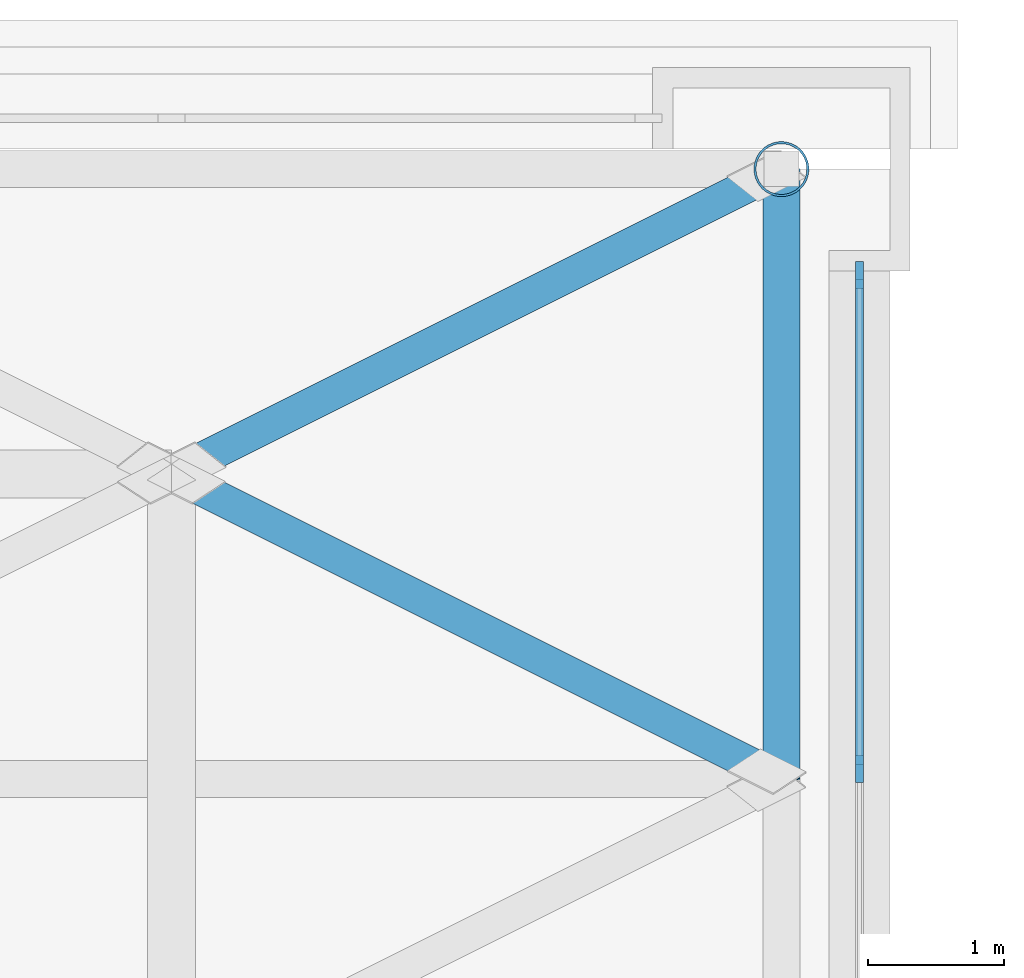
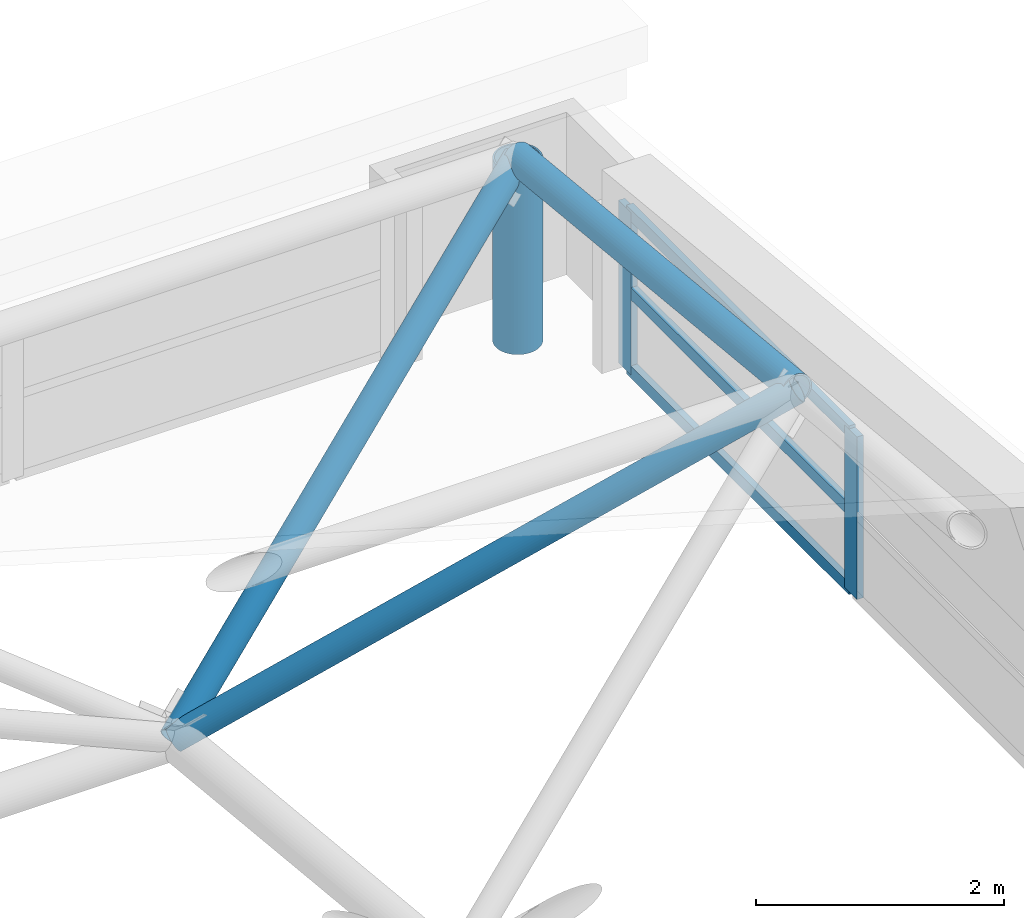
# One storey, part 19 of 53: 9 members, 1 element without a shape of its own.
"""IFC4 building model written with IfcOpenShell, lengths in metres."""

from ifc_helpers import new_model, si_unit, direction, frame, origin, origin_2d, place, context, subcontext, project, spatial, rectangle, hollow_circle, extrude, material, material_profile, profile_set, type_object, element, aggregate, save


model = new_model("IFC4")

# Units and contexts
model_context = context("Model", 3, precision=1e-05, world=origin(), true_north=direction((0.0, 1.0)))
body_context = subcontext(model_context, "Body", "Model", "MODEL_VIEW")
ifc_project = project(units=[si_unit("LENGTHUNIT", "METRE"), si_unit("AREAUNIT", "SQUARE_METRE"), si_unit("VOLUMEUNIT", "CUBIC_METRE"), si_unit("PLANEANGLEUNIT", "RADIAN"), si_unit("MASSUNIT", "GRAM", prefix="KILO")], contexts=[model_context])

# Site, building, storey
site_placement = place(None, origin())
site = spatial("IfcSite", under=ifc_project, at=site_placement, CompositionType="ELEMENT")
building_placement = place(site_placement, origin())
building = spatial("IfcBuilding", under=site, at=building_placement, Name="Aravalli Gate Trade Fair Centre", CompositionType="ELEMENT")
storey_placement = place(building_placement, frame((0.0, 0.0, 25.199951171875)))
storey = spatial("IfcBuildingStorey", under=building, at=storey_placement, Name="ROOF LEVEL 2", CompositionType="ELEMENT", Elevation=25.199951171875)

# Members
ifc_material_1 = material(Name="Steel E350", Category="steel")
ifc_material_profile_1 = material_profile(ifc_material_1, hollow_circle(Radius=0.122314453125, WallThickness=0.008056640625, at=origin_2d()), Name="CHS 244.5x8")
ifc_profile_set_1 = profile_set([ifc_material_profile_1], Name="Steel E350")
member_type_1 = type_object("IfcMemberType", Name="CHS 244.5x8", PredefinedType="BRACE", material=ifc_profile_set_1)
member_1_placement = place(storey_placement, frame((105.0, 104.5, 2.25), z_axis=(-0.753016221047, 0.376508110523, -0.539637112837), x_axis=(-0.4472135955, -0.894427191, 0.0)))
element("IfcMember", 1, at=member_1_placement, inside=storey, type_object=member_type_1, Name="Space frame web diagonal D6B", PredefinedType="BRACE", context=body_context, shape_type="SweptSolid", body=[
    extrude(hollow_circle(Radius=0.122314453125, WallThickness=0.008056640625, at=origin_2d()), origin(), (0.0, 0.0, 1.0), 5.97607421875),
])
member_2_placement = place(storey_placement, frame((105.0, 109.0, 1.800048828125), z_axis=(-0.783200147531, -0.391600073766, -0.48295642778), x_axis=(0.4472135955, -0.894427191, 0.0)))
element("IfcMember", 2, at=member_2_placement, inside=storey, type_object=member_type_1, Name="Space frame web diagonal D6D", PredefinedType="BRACE", context=body_context, shape_type="SweptSolid", body=[
    extrude(hollow_circle(Radius=0.122314453125, WallThickness=0.008056640625, at=origin_2d()), origin(), (0.0, 0.0, 1.0), 5.74560546875),
])
ifc_material_profile_2 = material_profile(ifc_material_1, hollow_circle(Radius=0.136474609375, WallThickness=0.01611328125, at=origin_2d()), Name="CHS 273.1x16")
ifc_profile_set_2 = profile_set([ifc_material_profile_2], Name="Steel E350")
member_type_2 = type_object("IfcMemberType", Name="CHS 273.1x16", PredefinedType="CHORD", material=ifc_profile_set_2)
member_3_placement = place(storey_placement, frame((105.0, 104.5, 2.25), z_axis=(0.0, 0.995038259148, -0.099493029059), x_axis=(-1.0, 0.0, 0.0)))
element("IfcMember", 3, at=member_3_placement, inside=storey, type_object=member_type_2, Name="Space frame edge chord at the end lines YE6", PredefinedType="CHORD", context=body_context, shape_type="SweptSolid", body=[
    extrude(hollow_circle(Radius=0.136474609375, WallThickness=0.01611328125, at=origin_2d()), origin(), (0.0, 0.0, 1.0), 4.5224609375),
])
ifc_material_profile_3 = material_profile(ifc_material_1, hollow_circle(Radius=0.203125, WallThickness=0.01611328125, at=origin_2d()), Name="CHS 406.4x16")
ifc_profile_set_3 = profile_set([ifc_material_profile_3], Name="Steel E350")
member_type_3 = type_object("IfcMemberType", Name="CHS 406.4x16", PredefinedType="POST", material=ifc_profile_set_3)
member_4_placement = place(storey_placement, frame((105.0, 109.0, 0.0), z_axis=(0.0, 0.0, 1.0), x_axis=(1.0, 0.0, 0.0)))
element("IfcMember", 4, at=member_4_placement, inside=storey, type_object=member_type_3, Name="Space frame bearing post P1", PredefinedType="POST", context=body_context, shape_type="SweptSolid", body=[
    extrude(hollow_circle(Radius=0.203125, WallThickness=0.01611328125, at=origin_2d()), origin(), (0.0, 0.0, 1.0), 1.800048828125),
])

# Curtain wall, members
ifc_material_2 = material(Name="Aluminium, glass and louvre", Category="aluminium")
curtain_wall_type = type_object("IfcCurtainWallType", Name="Hall crown curtain wall 3000 module", PredefinedType="NOTDEFINED", material=ifc_material_2)
curtain_wall_placement = place(storey_placement, origin())
curtain_wall = element("IfcCurtainWall", 5, at=curtain_wall_placement, inside=storey, type_object=curtain_wall_type, Name="Hall east crown curtain wall 7 ROOF LEVEL 2", PredefinedType="NOTDEFINED")
ifc_material_3 = material(Name="Aluminium", Category="aluminium")
ifc_material_profile_4 = material_profile(ifc_material_3, rectangle(XDim=0.06005859375, YDim=0.199951171875, at=origin_2d()), Name="Hall curtain wall mullion 60 x 200")
ifc_profile_set_4 = profile_set([ifc_material_profile_4], Name="Aluminium")
member_type_4 = type_object("IfcMemberType", Name="Hall curtain wall mullion 60 x 200", PredefinedType="MULLION", material=ifc_profile_set_4)
member_5_placement = place(storey_placement, frame((105.574951171875, 104.574951171875, 0.0), z_axis=(0.0, 0.0, 1.0), x_axis=(-1.0, 0.0, 0.0)))
member_5 = element("IfcMember", 6, at=member_5_placement, type_object=member_type_4, Name="HCW1 mullion 2", PredefinedType="MULLION", context=body_context, shape_type="SweptSolid", body=[
    extrude(rectangle(XDim=0.06005859375, YDim=0.199951171875, at=origin_2d()), origin(), (0.0, 0.0, 1.0), 1.60009765625),
])
member_6_placement = place(storey_placement, frame((105.574951171875, 108.219970703125, 0.0), z_axis=(0.0, 0.0, 1.0), x_axis=(-1.0, 0.0, 0.0)))
member_6 = element("IfcMember", 7, at=member_6_placement, type_object=member_type_4, Name="HCW1 mullion 3", PredefinedType="MULLION", context=body_context, shape_type="SweptSolid", body=[
    extrude(rectangle(XDim=0.06005859375, YDim=0.199951171875, at=origin_2d()), origin(), (0.0, 0.0, 1.0), 1.60009765625),
])
ifc_material_profile_5 = material_profile(ifc_material_3, rectangle(XDim=0.06005859375, YDim=0.1201171875, at=origin_2d()), Name="Hall curtain wall transom 60 x 120")
ifc_profile_set_5 = profile_set([ifc_material_profile_5], Name="Aluminium")
member_type_5 = type_object("IfcMemberType", Name="Hall curtain wall transom 60 x 120", PredefinedType="USERDEFINED", material=ifc_profile_set_5)
member_7_placement = place(storey_placement, frame((105.574951171875, 104.60498046875, 0.030029296875), z_axis=(0.0, 1.0, 0.0), x_axis=(-1.0, 0.0, 0.0)))
member_7 = element("IfcMember", 8, at=member_7_placement, type_object=member_type_5, Name="HCW1 transom 2.1", ObjectType="TRANSOM", PredefinedType="USERDEFINED", context=body_context, shape_type="SweptSolid", body=[
    extrude(rectangle(XDim=0.06005859375, YDim=0.1201171875, at=origin_2d()), origin(), (0.0, 0.0, 1.0), 3.5849609375),
])
member_8_placement = place(storey_placement, frame((105.574951171875, 104.60498046875, 0.800048828125), z_axis=(0.0, 1.0, 0.0), x_axis=(-1.0, 0.0, 0.0)))
member_8 = element("IfcMember", 9, at=member_8_placement, type_object=member_type_5, Name="HCW1 transom 2.2", ObjectType="TRANSOM", PredefinedType="USERDEFINED", context=body_context, shape_type="SweptSolid", body=[
    extrude(rectangle(XDim=0.06005859375, YDim=0.1201171875, at=origin_2d()), origin(), (0.0, 0.0, 1.0), 3.5849609375),
])
member_9_placement = place(storey_placement, frame((105.574951171875, 104.60498046875, 1.570068359375), z_axis=(0.0, 1.0, 0.0), x_axis=(-1.0, 0.0, 0.0)))
member_9 = element("IfcMember", 10, at=member_9_placement, type_object=member_type_5, Name="HCW1 transom 2.3", ObjectType="TRANSOM", PredefinedType="USERDEFINED", context=body_context, shape_type="SweptSolid", body=[
    extrude(rectangle(XDim=0.06005859375, YDim=0.1201171875, at=origin_2d()), origin(), (0.0, 0.0, 1.0), 3.5849609375),
])
aggregate(curtain_wall, [member_5, member_6, member_7, member_8, member_9])

save(model, "model.ifc")
